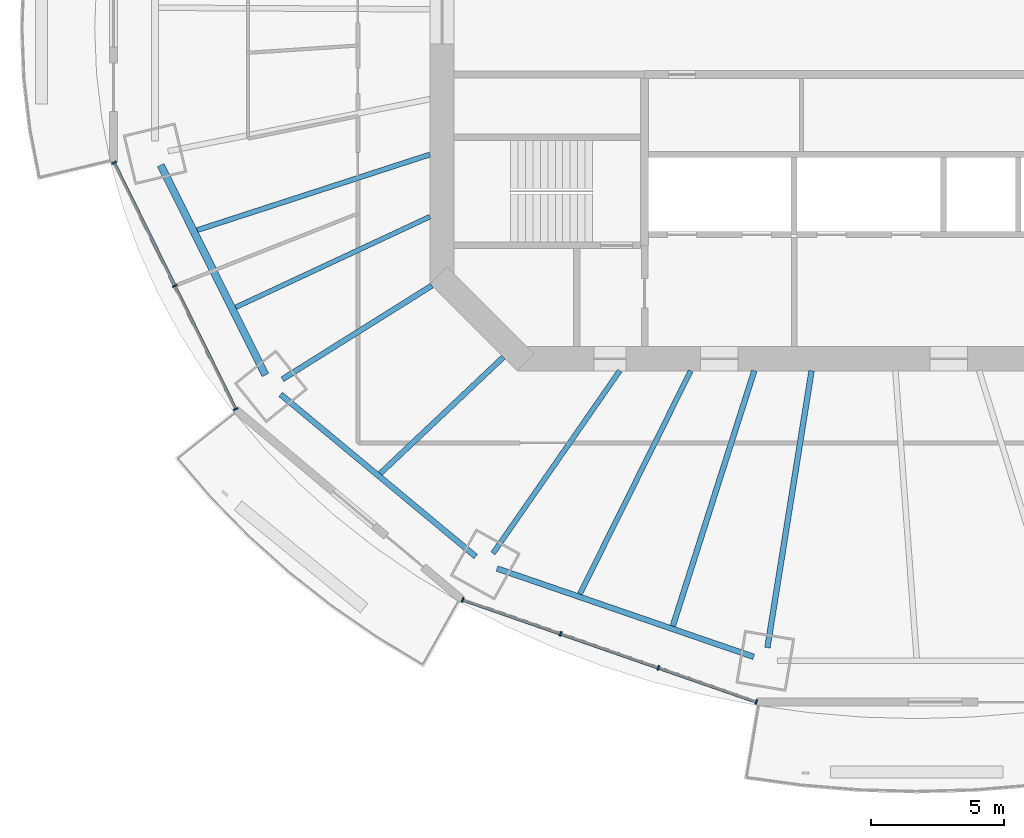
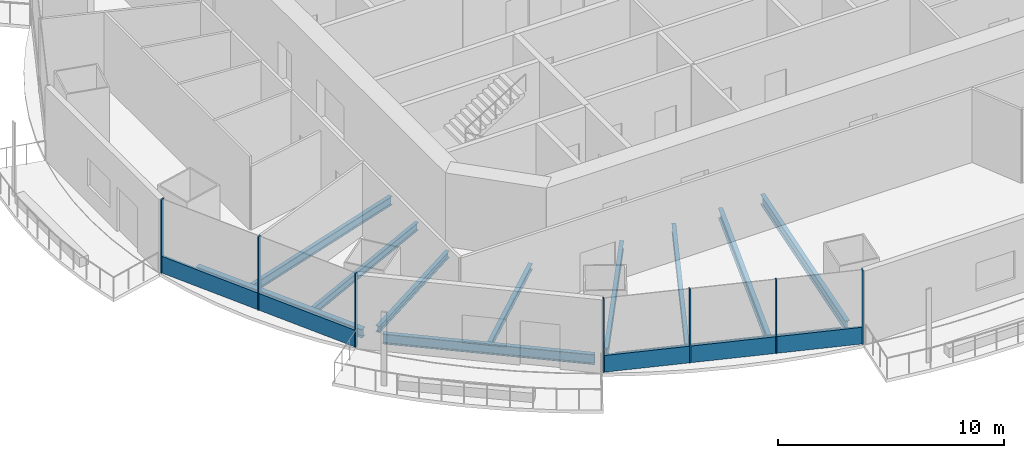
# One storey, part 2 of 19: 11 beams, 9 members, 2 elements without a shape of their own.
"""IFC4 building model written with IfcOpenShell, lengths in metres."""

from ifc_helpers import new_model, si_unit, direction, frame, origin, origin_2d, place, context, subcontext, project, spatial, rectangle, i_section, extrude, material, material_profile, profile_set, type_object, element, aggregate, save


model = new_model("IFC4")

# Units and contexts
model_context = context("Model", 3, precision=1e-05, world=origin(), true_north=direction((0.0, 1.0)))
body_context = subcontext(model_context, "Body", "Model", "MODEL_VIEW")
ifc_project = project(units=[si_unit("LENGTHUNIT", "METRE"), si_unit("AREAUNIT", "SQUARE_METRE"), si_unit("VOLUMEUNIT", "CUBIC_METRE"), si_unit("PLANEANGLEUNIT", "RADIAN"), si_unit("MASSUNIT", "GRAM", prefix="KILO")], contexts=[model_context])

# Site, building, storey
site_placement = place(None, origin())
site = spatial("IfcSite", under=ifc_project, at=site_placement, CompositionType="ELEMENT")
building_placement = place(site_placement, origin())
building = spatial("IfcBuilding", under=site, at=building_placement, Name="Marenthal Gate Tower", CompositionType="ELEMENT")
storey_placement = place(building_placement, frame((0.0, 0.0, 231.60009765625)))
storey = spatial("IfcBuildingStorey", under=building, at=storey_placement, Name="L51", CompositionType="ELEMENT", Elevation=231.60009765625)

# Curtain wall, members
ifc_material_1 = material(Name="Aluminium and glass", Category="aluminium")
curtain_wall_type = type_object("IfcCurtainWallType", Name="Curtain wall typical mid", PredefinedType="NOTDEFINED", material=ifc_material_1)
curtain_wall_1_placement = place(storey_placement, origin())
curtain_wall_1 = element("IfcCurtainWall", 1, at=curtain_wall_1_placement, inside=storey, type_object=curtain_wall_type, Name="Curtain wall L51 bay 9", PredefinedType="NOTDEFINED")
ifc_material_2 = material(Name="Aluminium", Category="aluminium")
ifc_material_profile_1 = material_profile(ifc_material_2, rectangle(XDim=0.179931640625, YDim=0.06005859375, at=origin_2d()), Name="60x180 aluminium mullion")
ifc_profile_set_1 = profile_set([ifc_material_profile_1], Name="Aluminium")
member_type_1 = type_object("IfcMemberType", Name="Mullion 60x180 typical mid", PredefinedType="MULLION", material=ifc_profile_set_1)
member_1_placement = place(storey_placement, frame((-28.284912109375, -5.6533203125, 0.0), z_axis=(0.0, 0.0, 1.0), x_axis=(0.896797507361, 0.442441217329, 0.0)))
member_1 = element("IfcMember", 2, at=member_1_placement, type_object=member_type_1, Name="Mullion L51 bay 9.1", PredefinedType="MULLION", context=body_context, shape_type="SweptSolid", body=[
    extrude(rectangle(XDim=0.179931640625, YDim=0.06005859375, at=origin_2d()), origin(), (0.0, 0.0, 1.0), 3.969970703125),
])
member_2_placement = place(storey_placement, frame((-26.00732421875, -10.2705078125, 0.0), z_axis=(0.0, 0.0, 1.0), x_axis=(0.896797507361, 0.442441217329, 0.0)))
member_2 = element("IfcMember", 3, at=member_2_placement, type_object=member_type_1, Name="Mullion L51 bay 9.2", PredefinedType="MULLION", context=body_context, shape_type="SweptSolid", body=[
    extrude(rectangle(XDim=0.179931640625, YDim=0.06005859375, at=origin_2d()), origin(), (0.0, 0.0, 1.0), 3.969970703125),
])
member_3_placement = place(storey_placement, frame((-23.7294921875, -14.887451171875, 0.0), z_axis=(0.0, 0.0, 1.0), x_axis=(0.896797507361, 0.442441217329, 0.0)))
member_3 = element("IfcMember", 4, at=member_3_placement, type_object=member_type_1, Name="Mullion L51 bay 9.3", PredefinedType="MULLION", context=body_context, shape_type="SweptSolid", body=[
    extrude(rectangle(XDim=0.179931640625, YDim=0.06005859375, at=origin_2d()), origin(), (0.0, 0.0, 1.0), 3.969970703125),
])

curtain_wall_2_placement = place(storey_placement, origin())
curtain_wall_2 = element("IfcCurtainWall", 5, at=curtain_wall_2_placement, inside=storey, type_object=curtain_wall_type, Name="Curtain wall L51 bay 11", PredefinedType="NOTDEFINED")
member_4_placement = place(storey_placement, frame((-15.220947265625, -22.03271484375, 0.0), z_axis=(0.0, 0.0, 1.0), x_axis=(0.328467970612, 0.94451510961, 0.0)))
member_4 = element("IfcMember", 6, at=member_4_placement, type_object=member_type_1, Name="Mullion L51 bay 11.1", PredefinedType="MULLION", context=body_context, shape_type="SweptSolid", body=[
    extrude(rectangle(XDim=0.179931640625, YDim=0.06005859375, at=origin_2d()), origin(), (0.0, 0.0, 1.0), 3.969970703125),
])
member_5_placement = place(storey_placement, frame((-11.552490234375, -23.308349609375, 0.0), z_axis=(0.0, 0.0, 1.0), x_axis=(0.328467970612, 0.94451510961, 0.0)))
member_5 = element("IfcMember", 7, at=member_5_placement, type_object=member_type_1, Name="Mullion L51 bay 11.2", PredefinedType="MULLION", context=body_context, shape_type="SweptSolid", body=[
    extrude(rectangle(XDim=0.179931640625, YDim=0.06005859375, at=origin_2d()), origin(), (0.0, 0.0, 1.0), 3.969970703125),
])
member_6_placement = place(storey_placement, frame((-7.8837890625, -24.584228515625, 0.0), z_axis=(0.0, 0.0, 1.0), x_axis=(0.328467970612, 0.94451510961, 0.0)))
member_6 = element("IfcMember", 8, at=member_6_placement, type_object=member_type_1, Name="Mullion L51 bay 11.3", PredefinedType="MULLION", context=body_context, shape_type="SweptSolid", body=[
    extrude(rectangle(XDim=0.179931640625, YDim=0.06005859375, at=origin_2d()), origin(), (0.0, 0.0, 1.0), 3.969970703125),
])
member_7_placement = place(storey_placement, frame((-4.215087890625, -25.860107421875, 0.0), z_axis=(0.0, 0.0, 1.0), x_axis=(0.328467970612, 0.94451510961, 0.0)))
member_7 = element("IfcMember", 9, at=member_7_placement, type_object=member_type_1, Name="Mullion L51 bay 11.4", PredefinedType="MULLION", context=body_context, shape_type="SweptSolid", body=[
    extrude(rectangle(XDim=0.179931640625, YDim=0.06005859375, at=origin_2d()), origin(), (0.0, 0.0, 1.0), 3.969970703125),
])

# Member
ifc_material_3 = material(Name="Aluminium", Category="aluminium")
ifc_material_profile_2 = material_profile(ifc_material_3, rectangle(XDim=0.1201171875, YDim=0.89990234375, at=origin_2d()), Name="120x900 aluminium transom")
ifc_profile_set_2 = profile_set([ifc_material_profile_2], Name="Aluminium")
member_type_2 = type_object("IfcMemberType", Name="Transom 120x900 typical mid", PredefinedType="USERDEFINED", material=ifc_profile_set_2)
member_8_placement = place(storey_placement, frame((-28.271728515625, -5.680419921875, 0.449951171875), z_axis=(0.442446743058, -0.896794781183, 0.0), x_axis=(0.896794781183, 0.442446743058, 0.0)))
member_8 = element("IfcMember", 10, at=member_8_placement, type_object=member_type_2, Name="Transom L51 bay 9", ObjectType="TRANSOM", PredefinedType="USERDEFINED", context=body_context, shape_type="SweptSolid", body=[
    extrude(rectangle(XDim=0.1201171875, YDim=0.89990234375, at=origin_2d()), origin(), (0.0, 0.0, 1.0), 10.236328125),
])

aggregate(curtain_wall_1, [member_1, member_2, member_3, member_8])

member_9_placement = place(storey_placement, frame((-15.192626953125, -22.04248046875, 0.449951171875), z_axis=(0.944518387827, -0.328458543894, 0.0), x_axis=(0.328458543894, 0.944518387827, 0.0)))
member_9 = element("IfcMember", 11, at=member_9_placement, type_object=member_type_2, Name="Transom L51 bay 11", ObjectType="TRANSOM", PredefinedType="USERDEFINED", context=body_context, shape_type="SweptSolid", body=[
    extrude(rectangle(XDim=0.1201171875, YDim=0.89990234375, at=origin_2d()), origin(), (0.0, 0.0, 1.0), 11.59228515625),
])

aggregate(curtain_wall_2, [member_4, member_5, member_6, member_7, member_9])

# Beams
ifc_material_4 = material(Name="Steel S355", Category="steel")
ifc_material_profile_3 = material_profile(ifc_material_4, i_section(OverallWidth=0.205078125, OverallDepth=0.31005859375, WebThickness=0.009521484375, FlangeThickness=0.016357421875, FilletRadius=0.0126953125, at=origin_2d()), Name="W310X74")
ifc_profile_set_3 = profile_set([ifc_material_profile_3], Name="Steel S355")
beam_type_1 = type_object("IfcBeamType", Name="W310X74 beam", PredefinedType="BEAM", material=ifc_profile_set_3)
beam_1_placement = place(storey_placement, frame((-18.309326171875, -17.299560546875, -0.335205078125), z_axis=(0.726862728437, 0.686782770612, 0.0), x_axis=(-0.686782770612, 0.726862728437, 0.0)))
element("IfcBeam", 12, at=beam_1_placement, inside=storey, type_object=beam_type_1, Name="BM-L51-31", PredefinedType="BEAM", context=body_context, shape_type="SweptSolid", body=[
    extrude(i_section(OverallWidth=0.205078125, OverallDepth=0.31005859375, WebThickness=0.009521484375, FlangeThickness=0.016357421875, FilletRadius=0.0126953125, at=origin_2d()), origin(), (0.0, 0.0, 1.0), 6.34716796875),
])
ifc_material_5 = material(Name="Steel S355", Category="steel")
ifc_material_profile_4 = material_profile(ifc_material_5, i_section(OverallWidth=0.205078125, OverallDepth=0.35302734375, WebThickness=0.009521484375, FlangeThickness=0.016845703125, FilletRadius=0.014892578125, at=origin_2d()), Name="W360X79")
ifc_profile_set_4 = profile_set([ifc_material_profile_4], Name="Steel S355")
beam_type_2 = type_object("IfcBeamType", Name="W360X79 beam", PredefinedType="BEAM", material=ifc_profile_set_4)
beam_2_placement = place(storey_placement, frame((-21.972900390625, -13.767333984375, -0.356689453125), z_axis=(0.847401773797, 0.530952195368, 0.0), x_axis=(-0.530952195368, 0.847401773797, 0.0)))
element("IfcBeam", 13, at=beam_2_placement, inside=storey, type_object=beam_type_2, Name="BM-L51-10", PredefinedType="BEAM", context=body_context, shape_type="SweptSolid", body=[
    extrude(i_section(OverallWidth=0.205078125, OverallDepth=0.35302734375, WebThickness=0.009521484375, FlangeThickness=0.016845703125, FilletRadius=0.014892578125, at=origin_2d()), origin(), (0.0, 0.0, 1.0), 6.604736328125),
])
ifc_material_6 = material(Name="Steel S355", Category="steel")
ifc_material_profile_5 = material_profile(ifc_material_6, i_section(OverallWidth=0.180908203125, OverallDepth=0.4169921875, WebThickness=0.010986328125, FlangeThickness=0.018310546875, FilletRadius=0.01025390625, at=origin_2d()), Name="W410X85")
ifc_profile_set_5 = profile_set([ifc_material_profile_5], Name="Steel S355")
beam_type_3 = type_object("IfcBeamType", Name="W410X85 beam", PredefinedType="BEAM", material=ifc_profile_set_5)
beam_3_placement = place(storey_placement, frame((-23.724609375, -11.0712890625, -0.388671875), z_axis=(0.906186247766, 0.422878805759, 0.0), x_axis=(-0.422878805759, 0.906186247766, 0.0)))
element("IfcBeam", 14, at=beam_3_placement, inside=storey, type_object=beam_type_3, Name="BM-L51-30", PredefinedType="BEAM", context=body_context, shape_type="SweptSolid", body=[
    extrude(i_section(OverallWidth=0.180908203125, OverallDepth=0.4169921875, WebThickness=0.010986328125, FlangeThickness=0.018310546875, FilletRadius=0.01025390625, at=origin_2d()), origin(), (0.0, 0.0, 1.0), 8.02783203125),
])
ifc_material_7 = material(Name="Steel S355", Category="steel")
ifc_material_profile_6 = material_profile(ifc_material_7, i_section(OverallWidth=0.279052734375, OverallDepth=0.4619140625, WebThickness=0.0107421875, FlangeThickness=0.017333984375, FilletRadius=0.010009765625, at=origin_2d()), Name="W460X113")
ifc_profile_set_6 = profile_set([ifc_material_profile_6], Name="Steel S355")
beam_type_4 = type_object("IfcBeamType", Name="W460X113 beam", PredefinedType="BEAM", material=ifc_profile_set_6)
beam_4_placement = place(storey_placement, frame((-26.53662109375, -5.743408203125, -0.4111328125), z_axis=(0.446158339693, -0.894954041235, 0.0), x_axis=(0.894954041235, 0.446158339693, 0.0)))
element("IfcBeam", 15, at=beam_4_placement, inside=storey, type_object=beam_type_4, Name="BM-L51-49", PredefinedType="BEAM", context=body_context, shape_type="SweptSolid", body=[
    extrude(i_section(OverallWidth=0.279052734375, OverallDepth=0.4619140625, WebThickness=0.0107421875, FlangeThickness=0.017333984375, FilletRadius=0.010009765625, at=origin_2d()), origin(), (0.0, 0.0, 1.0), 8.794189453125),
])
ifc_material_8 = material(Name="Steel S355", Category="steel")
ifc_material_profile_7 = material_profile(ifc_material_8, i_section(OverallWidth=0.193115234375, OverallDepth=0.467041015625, WebThickness=0.011474609375, FlangeThickness=0.01904296875, FilletRadius=0.010009765625, at=origin_2d()), Name="W460X97")
ifc_profile_set_7 = profile_set([ifc_material_profile_7], Name="Steel S355")
beam_type_5 = type_object("IfcBeamType", Name="W460X97 beam", PredefinedType="BEAM", material=ifc_profile_set_7)
beam_5_placement = place(storey_placement, frame((-14.08349609375, -20.294189453125, -0.41357421875), z_axis=(0.57011788142, 0.8215629016, 0.0), x_axis=(-0.8215629016, 0.57011788142, 0.0)))
element("IfcBeam", 16, at=beam_5_placement, inside=storey, type_object=beam_type_5, Name="BM-L51-11", PredefinedType="BEAM", context=body_context, shape_type="SweptSolid", body=[
    extrude(i_section(OverallWidth=0.193115234375, OverallDepth=0.467041015625, WebThickness=0.011474609375, FlangeThickness=0.01904296875, FilletRadius=0.010009765625, at=origin_2d()), origin(), (0.0, 0.0, 1.0), 8.330810546875),
])
beam_6_placement = place(storey_placement, frame((-25.165771484375, -8.180908203125, -0.41357421875), z_axis=(0.951006658156, 0.309170399848, 0.0), x_axis=(-0.309170399848, 0.951006658156, 0.0)))
element("IfcBeam", 17, at=beam_6_placement, inside=storey, type_object=beam_type_5, Name="BM-L51-29", PredefinedType="BEAM", context=body_context, shape_type="SweptSolid", body=[
    extrude(i_section(OverallWidth=0.193115234375, OverallDepth=0.467041015625, WebThickness=0.011474609375, FlangeThickness=0.01904296875, FilletRadius=0.010009765625, at=origin_2d()), origin(), (0.0, 0.0, 1.0), 9.164794921875),
])
beam_7_placement = place(storey_placement, frame((-10.826416015625, -21.817138671875, -0.41357421875), z_axis=(0.444514209815, 0.895771799775, 0.0), x_axis=(-0.895771799775, 0.444514209815, 0.0)))
element("IfcBeam", 18, at=beam_7_placement, inside=storey, type_object=beam_type_5, Name="BM-L51-32", PredefinedType="BEAM", context=body_context, shape_type="SweptSolid", body=[
    extrude(i_section(OverallWidth=0.193115234375, OverallDepth=0.467041015625, WebThickness=0.011474609375, FlangeThickness=0.01904296875, FilletRadius=0.010009765625, at=origin_2d()), origin(), (0.0, 0.0, 1.0), 9.3408203125),
])
ifc_material_9 = material(Name="Steel S355", Category="steel")
ifc_material_profile_8 = material_profile(ifc_material_9, i_section(OverallWidth=0.2099609375, OverallDepth=0.535888671875, WebThickness=0.010986328125, FlangeThickness=0.017333984375, FilletRadius=0.0126953125, at=origin_2d()), Name="W530X101")
ifc_profile_set_8 = profile_set([ifc_material_profile_8], Name="Steel S355")
beam_type_6 = type_object("IfcBeamType", Name="W530X101 beam", PredefinedType="BEAM", material=ifc_profile_set_8)
beam_8_placement = place(storey_placement, frame((-7.343994140625, -23.015380859375, -0.447998046875), z_axis=(0.303990403849, 0.952675093811, 0.0), x_axis=(-0.952675093811, 0.303990403849, 0.0)))
element("IfcBeam", 19, at=beam_8_placement, inside=storey, type_object=beam_type_6, Name="BM-L51-33", PredefinedType="BEAM", context=body_context, shape_type="SweptSolid", body=[
    extrude(i_section(OverallWidth=0.2099609375, OverallDepth=0.535888671875, WebThickness=0.010986328125, FlangeThickness=0.017333984375, FilletRadius=0.0126953125, at=origin_2d()), origin(), (0.0, 0.0, 1.0), 10.04052734375),
])
ifc_material_10 = material(Name="Steel S355", Category="steel")
ifc_material_profile_9 = material_profile(ifc_material_10, i_section(OverallWidth=0.2119140625, OverallDepth=0.5439453125, WebThickness=0.01318359375, FlangeThickness=0.021240234375, FilletRadius=0.0126953125, at=origin_2d()), Name="W530X123")
ifc_profile_set_9 = profile_set([ifc_material_profile_9], Name="Steel S355")
beam_type_7 = type_object("IfcBeamType", Name="W530X123 beam", PredefinedType="BEAM", material=ifc_profile_set_9)
beam_9_placement = place(storey_placement, frame((-3.800048828125, -23.82666015625, -0.4521484375), z_axis=(0.157503870989, 0.987518369765, 0.0), x_axis=(-0.987518369765, 0.157503870989, 0.0)))
element("IfcBeam", 20, at=beam_9_placement, inside=storey, type_object=beam_type_7, Name="BM-L51-12", PredefinedType="BEAM", context=body_context, shape_type="SweptSolid", body=[
    extrude(i_section(OverallWidth=0.2119140625, OverallDepth=0.5439453125, WebThickness=0.01318359375, FlangeThickness=0.021240234375, FilletRadius=0.0126953125, at=origin_2d()), origin(), (0.0, 0.0, 1.0), 10.5078125),
])
beam_10_placement = place(storey_placement, frame((-22.04150390625, -14.33642578125, -0.4521484375), z_axis=(0.769155216777, -0.639062009906, 0.0), x_axis=(0.639062009906, 0.769155216777, 0.0)))
element("IfcBeam", 21, at=beam_10_placement, inside=storey, type_object=beam_type_7, Name="BM-L51-50", PredefinedType="BEAM", context=body_context, shape_type="SweptSolid", body=[
    extrude(i_section(OverallWidth=0.2119140625, OverallDepth=0.5439453125, WebThickness=0.01318359375, FlangeThickness=0.021240234375, FilletRadius=0.0126953125, at=origin_2d()), origin(), (0.0, 0.0, 1.0), 9.50537109375),
])
beam_11_placement = place(storey_placement, frame((-13.931884765625, -20.8603515625, -0.4521484375), z_axis=(0.945567746604, -0.325425316443, 0.0), x_axis=(0.325425316443, 0.945567746604, 0.0)))
element("IfcBeam", 22, at=beam_11_placement, inside=storey, type_object=beam_type_7, Name="BM-L51-51", PredefinedType="BEAM", context=body_context, shape_type="SweptSolid", body=[
    extrude(i_section(OverallWidth=0.2119140625, OverallDepth=0.5439453125, WebThickness=0.01318359375, FlangeThickness=0.021240234375, FilletRadius=0.0126953125, at=origin_2d()), origin(), (0.0, 0.0, 1.0), 10.16845703125),
])

save(model, "model.ifc")
